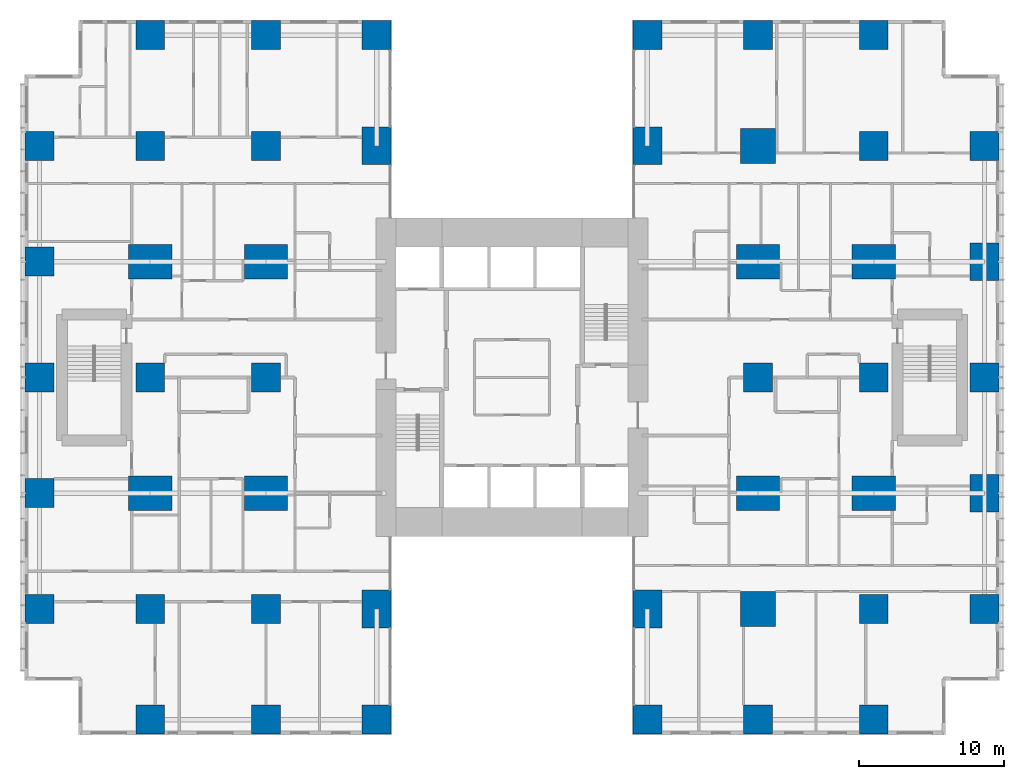
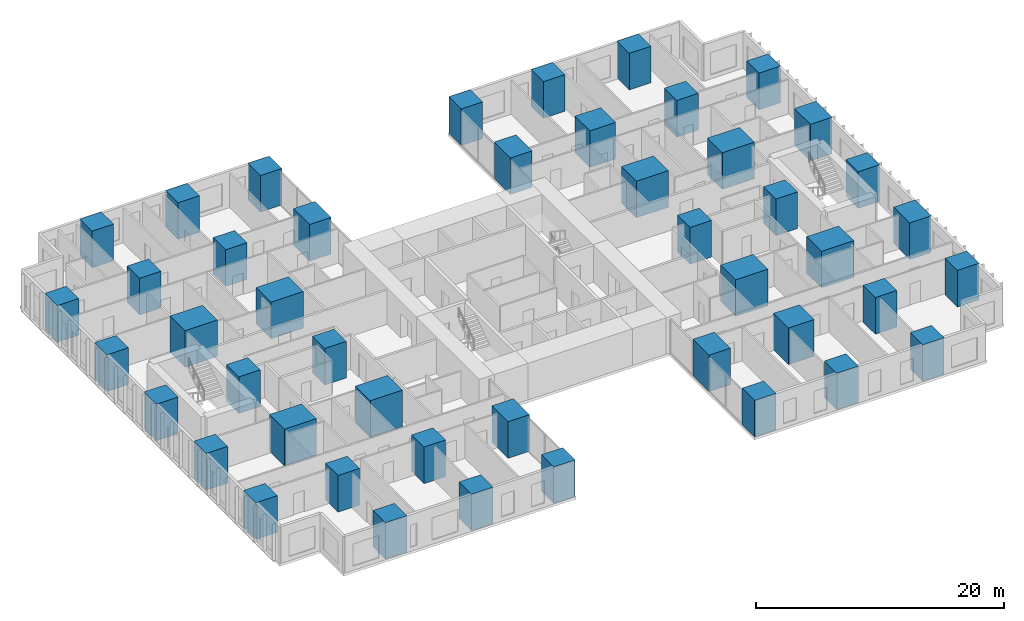
# One storey, part 1 of 20: 46 columns.
"""IFC4 building model written with IfcOpenShell, lengths in metres."""

import ifcopenshell
import ifcopenshell.guid

model = None  # the IFC model being written
_history = None  # IfcOwnerHistory: only IFC2X3 demands one
_inside = {}  # id of a spatial element -> (the spatial element, [elements in it])
_under = {}  # id of a project, library or spatial element -> (it, [spatial elements below it])
_declared = {}  # id of a project -> (the project, [libraries it declares])
_typed = {}  # id of a type object -> (the type object, [elements of that type])
_made_of = {}  # id of a material, layer set ... -> (it, [elements and type objects made of it])


def new_model(schema):
    """Start an empty IFC model of exactly this schema.

    Asked for "IFC4X3", IfcOpenShell would pick the latest addendum, in which some entities
    have other attributes; the version numbers below select the first issue.
    IFC2X3 requires an IfcOwnerHistory on every rooted entity: one is made here for all.
    """
    global model, _history
    if schema == "IFC4X3":
        model = ifcopenshell.file(schema_version=(4, 3, 0, 0))
    else:
        model = ifcopenshell.file(schema=schema)
    _inside.clear()
    _under.clear()
    _declared.clear()
    _typed.clear()
    _made_of.clear()
    _history = None
    if model.schema == "IFC2X3":
        org = make("IfcOrganization", Name="unknown")
        user = make(
            "IfcPersonAndOrganization",
            ThePerson=make("IfcPerson", FamilyName="unknown"),
            TheOrganization=org,
        )
        app = make(
            "IfcApplication",
            ApplicationDeveloper=org,
            Version="unknown",
            ApplicationFullName="unknown",
            ApplicationIdentifier="unknown",
        )
        _history = make(
            "IfcOwnerHistory",
            OwningUser=user,
            OwningApplication=app,
            ChangeAction="ADDED",
            CreationDate=0,
        )
    return model


def make(cls, **values):
    """One entity of the class cls with the attributes given. An attribute that is None is left unset."""
    return model.create_entity(
        cls, **{name: value for name, value in values.items() if value is not None}
    )


def rooted(cls, **values):
    """An entity with a GlobalId (a new one), such as an element, a storey or a relation."""
    return make(cls, GlobalId=ifcopenshell.guid.new(), OwnerHistory=_history, **values)


def si_unit(unit_type, name, prefix=None):
    """IfcSIUnit, for example si_unit("LENGTHUNIT", "METRE", prefix="MILLI")."""
    return make("IfcSIUnit", UnitType=unit_type, Prefix=prefix, Name=name)


def assignment(units):
    """IfcUnitAssignment: the units of a project."""
    return None if units is None else make("IfcUnitAssignment", Units=units)


def point(xyz):
    """IfcCartesianPoint."""
    return None if xyz is None else make("IfcCartesianPoint", Coordinates=xyz)


def direction(xyz):
    """IfcDirection."""
    return None if xyz is None else make("IfcDirection", DirectionRatios=xyz)


def frame(location, z_axis=None, x_axis=None):
    """IfcAxis2Placement3D, a coordinate frame: its origin and axes. An axis left out is left unset."""
    return make(
        "IfcAxis2Placement3D",
        Location=point(location),
        Axis=direction(z_axis),
        RefDirection=direction(x_axis),
    )


def frame_2d(location, x_axis=None):
    """IfcAxis2Placement2D, a coordinate frame in the plane: its origin and x axis."""
    return make(
        "IfcAxis2Placement2D", Location=point(location), RefDirection=direction(x_axis)
    )


def origin():
    """The frame at (0, 0, 0) with its axes left unset."""
    return frame((0.0, 0.0, 0.0))


def origin_2d():
    """The frame at (0, 0) in the plane with its x axis left unset."""
    return frame_2d((0.0, 0.0))


def place(relative_to, where):
    """IfcLocalPlacement: puts the frame where relative to a parent placement (None: the world)."""
    return make(
        "IfcLocalPlacement", PlacementRelTo=relative_to, RelativePlacement=where
    )


def context(
    kind, dimensions, precision=None, world=None, true_north=None, identifier=None
):
    """IfcGeometricRepresentationContext, for example the 3D "Model" context."""
    return make(
        "IfcGeometricRepresentationContext",
        ContextIdentifier=identifier,
        ContextType=kind,
        CoordinateSpaceDimension=dimensions,
        Precision=precision,
        WorldCoordinateSystem=world,
        TrueNorth=true_north,
    )


def subcontext(parent, identifier, kind, view, scale=None):
    """IfcGeometricRepresentationSubContext, for example "Body" below "Model"."""
    return make(
        "IfcGeometricRepresentationSubContext",
        ContextIdentifier=identifier,
        ContextType=kind,
        ParentContext=parent,
        TargetScale=scale,
        TargetView=view,
    )


def project(units=None, contexts=None):
    """IfcProject with its units and contexts."""
    return rooted(
        "IfcProject",
        Name="project",
        RepresentationContexts=contexts,
        UnitsInContext=assignment(units),
    )


def spatial(cls, under=None, at=None, **own):
    """A site, building, storey or space (cls), placed at a placement, below another one or the project."""
    s = rooted(cls, ObjectPlacement=at, **own)
    if under is not None:
        _under.setdefault(under.id(), (under, []))[1].append(s)
    return s


def profile(cls, at=None, kind="AREA", **sizes):
    """A parametric profile (cls). Its sizes go by their IFC names, for example OverallWidth=200.0."""
    return make(cls, ProfileType=kind, Position=at, **sizes)


def rectangle(**sizes):
    """IfcRectangleProfileDef."""
    return profile("IfcRectangleProfileDef", **sizes)


def extrude(swept, where, along, depth):
    """IfcExtrudedAreaSolid: the profile swept, set in the frame where, extruded along a direction by depth."""
    return make(
        "IfcExtrudedAreaSolid",
        SweptArea=swept,
        Position=where,
        ExtrudedDirection=direction(along),
        Depth=depth,
    )


def shape(context_of_items, identifier, shape_type, items):
    """IfcShapeRepresentation: the items that make up one representation, for example the "Body"."""
    return make(
        "IfcShapeRepresentation",
        ContextOfItems=context_of_items,
        RepresentationIdentifier=identifier,
        RepresentationType=shape_type,
        Items=items,
    )


def material(Name=None, Category=None):
    """IfcMaterial."""
    return make("IfcMaterial", Name=Name, Category=Category)


def material_profile(
    of_material, cross_section, Name=None, Category=None, Priority=None
):
    """IfcMaterialProfile: a cross section and its material."""
    return make(
        "IfcMaterialProfile",
        Name=Name,
        Material=of_material,
        Profile=cross_section,
        Priority=Priority,
        Category=Category,
    )


def profile_set(profiles, Name=None, composite=None):
    """IfcMaterialProfileSet."""
    return make(
        "IfcMaterialProfileSet",
        Name=Name,
        MaterialProfiles=profiles,
        CompositeProfile=composite,
    )


def made_of(thing, what):
    """Note that an element or type object is made of a material, layer set ...; save() writes the relation."""
    if what is not None:
        _made_of.setdefault(what.id(), (what, []))[1].append(thing)
    return thing


def type_object(cls, material=None, **own):
    """A type object (cls), such as IfcWallType, which elements share."""
    return made_of(rooted(cls, **own), material)


def element(
    cls,
    number,
    at=None,
    inside=None,
    cuts=None,
    type_object=None,
    material=None,
    context=None,
    identifier="Body",
    shape_type=None,
    held_by="IfcProductDefinitionShape",
    body=None,
    shapes=None,
    **own,
):
    """One element of the class cls, such as IfcWall. Its Tag is "e" and its number.

    at: its placement. inside: the storey or other place that contains it. cuts: it is an
    opening in that element (IfcRelVoidsElement). A single representation is given by context,
    identifier, shape_type and body (its items); several are given by shapes. held_by: the class
    of the entity that holds the representations. save() writes the other relations.
    """
    e = rooted(cls, Tag="e%d" % number, ObjectPlacement=at, **own)
    if body is not None:
        shapes = [shape(context, identifier, shape_type, body)]
    if shapes is not None:
        e.Representation = make(held_by, Representations=shapes)
    if inside is not None:
        _inside.setdefault(inside.id(), (inside, []))[1].append(e)
    if cuts is not None:
        rooted(
            "IfcRelVoidsElement", RelatingBuildingElement=cuts, RelatedOpeningElement=e
        )
    if type_object is not None:
        _typed.setdefault(type_object.id(), (type_object, []))[1].append(e)
    return made_of(e, material)


def aggregate(whole, parts):
    """IfcRelAggregates: a whole, such as a stair, and the parts it consists of."""
    return rooted("IfcRelAggregates", RelatingObject=whole, RelatedObjects=parts)


def save(model, path):
    """Write the relations noted so far, then the file.

    IfcRelAggregates (storeys below a building ...), IfcRelContainedInSpatialStructure (elements
    in a storey), IfcRelDefinesByType, IfcRelAssociatesMaterial and IfcRelDeclares: one each for
    every whole, place, type object, material and project.
    """
    for whole, parts in _under.values():
        aggregate(whole, parts)
    for where, things in _inside.values():
        rooted(
            "IfcRelContainedInSpatialStructure",
            RelatedElements=things,
            RelatingStructure=where,
        )
    for kind, things in _typed.values():
        rooted("IfcRelDefinesByType", RelatedObjects=things, RelatingType=kind)
    for what, things in _made_of.values():
        rooted("IfcRelAssociatesMaterial", RelatedObjects=things, RelatingMaterial=what)
    for by, libraries in _declared.values():
        rooted("IfcRelDeclares", RelatingContext=by, RelatedDefinitions=libraries)
    model.write(path)


model = new_model("IFC4")

# Units and contexts
model_context = context("Model", 3, precision=1e-05, world=origin(), true_north=direction((0.0, 1.0)))
body_context = subcontext(model_context, "Body", "Model", "MODEL_VIEW")
ifc_project = project(units=[si_unit("LENGTHUNIT", "METRE"), si_unit("AREAUNIT", "SQUARE_METRE"), si_unit("VOLUMEUNIT", "CUBIC_METRE"), si_unit("PLANEANGLEUNIT", "RADIAN"), si_unit("MASSUNIT", "GRAM", prefix="KILO")], contexts=[model_context])

# Site, building, storey
site_placement = place(None, origin())
site = spatial("IfcSite", under=ifc_project, at=site_placement, CompositionType="ELEMENT")
building_placement = place(site_placement, origin())
building = spatial("IfcBuilding", under=site, at=building_placement, Name="Cleftline Residences", CompositionType="ELEMENT")
storey_placement = place(building_placement, frame((0.0, 0.0, 117.800048828125)))
storey = spatial("IfcBuildingStorey", under=building, at=storey_placement, Name="L30", CompositionType="ELEMENT", Elevation=117.800048828125)

# Columns
ifc_material_1 = material(Name="Concrete B70", Category="concrete")
ifc_material_profile_1 = material_profile(ifc_material_1, rectangle(XDim=2.0, YDim=2.0, at=origin_2d()))
ifc_profile_set_1 = profile_set([ifc_material_profile_1], Name="Concrete B70")
column_type_1 = type_object("IfcColumnType", Name="COLUMN RC2000X2000", PredefinedType="COLUMN", material=ifc_profile_set_1)
for number, where, z_axis, x_axis, name in (
    (1, (0.35009765625, 8.0, 0.0), (0.0, 0.0, 1.0), (1.0, 0.0, 0.0), "Column D/3"),
    (2, (0.35009765625, 16.0, 0.0), (0.0, 0.0, 1.0), (1.0, 0.0, 0.0), "Column E/3"),
    (3, (0.35009765625, 24.0, 0.0), (0.0, 0.0, 1.0), (1.0, 0.0, 0.0), "Column F/3"),
    (4, (0.35009765625, 32.0, 0.0), (0.0, 0.0, 1.0), (1.0, 0.0, 0.0), "Column G/3"),
    (5, (0.35009765625, 40.0, 0.0), (0.0, 0.0, 1.0), (1.0, 0.0, 0.0), "Column H/3"),
    (6, (8.0, 0.35009765625, 0.0), (0.0, 0.0, 1.0), (1.0, 0.0, 0.0), "Column C/4"),
    (7, (8.0, 8.0, 0.0), (0.0, 0.0, 1.0), (1.0, 0.0, 0.0), "Column D/4"),
    (8, (8.0, 24.0, 0.0), (0.0, 0.0, 1.0), (1.0, 0.0, 0.0), "Column F/4"),
    (9, (8.0, 40.0, 0.0), (0.0, 0.0, 1.0), (1.0, 0.0, 0.0), "Column H/4"),
    (10, (8.0, 47.64990234375, 0.0), (0.0, 0.0, 1.0), (1.0, 0.0, 0.0), "Column J/4"),
    (11, (16.0, 0.35009765625, 0.0), (0.0, 0.0, 1.0), (1.0, 0.0, 0.0), "Column C/5"),
    (12, (16.0, 8.0, 0.0), (0.0, 0.0, 1.0), (1.0, 0.0, 0.0), "Column D/5"),
    (13, (16.0, 24.0, 0.0), (0.0, 0.0, 1.0), (1.0, 0.0, 0.0), "Column F/5"),
    (14, (16.0, 40.0, 0.0), (0.0, 0.0, 1.0), (1.0, 0.0, 0.0), "Column H/5"),
    (15, (16.0, 47.64990234375, 0.0), (0.0, 0.0, 1.0), (1.0, 0.0, 0.0), "Column J/5"),
    (16, (23.64990234375, 0.35009765625, 0.0), (0.0, 0.0, 1.0), (1.0, 0.0, 0.0), "Column C/6"),
    (17, (23.64990234375, 47.64990234375, 0.0), (0.0, 0.0, 1.0), (1.0, 0.0, 0.0), "Column J/6"),
    (18, (42.35009765625, 0.35009765625, 0.0), (0.0, 0.0, 1.0), (1.0, 0.0, 0.0), "Column C/8"),
    (19, (42.35009765625, 47.64990234375, 0.0), (0.0, 0.0, 1.0), (1.0, 0.0, 0.0), "Column J/8"),
    (20, (50.0, 0.35009765625, 0.0), (0.0, 0.0, 1.0), (1.0, 0.0, 0.0), "Column C/9"),
    (21, (50.0, 24.0, 0.0), (0.0, 0.0, 1.0), (1.0, 0.0, 0.0), "Column F/9"),
    (22, (50.0, 47.64990234375, 0.0), (0.0, 0.0, 1.0), (1.0, 0.0, 0.0), "Column J/9"),
    (23, (58.0, 0.35009765625, 0.0), (0.0, 0.0, 1.0), (1.0, 0.0, 0.0), "Column C/10"),
    (24, (58.0, 8.0, 0.0), (0.0, 0.0, 1.0), (1.0, 0.0, 0.0), "Column D/10"),
    (25, (58.0, 24.0, 0.0), (0.0, 0.0, 1.0), (1.0, 0.0, 0.0), "Column F/10"),
    (26, (58.0, 40.0, 0.0), (0.0, 0.0, 1.0), (1.0, 0.0, 0.0), "Column H/10"),
    (27, (58.0, 47.64990234375, 0.0), (0.0, 0.0, 1.0), (1.0, 0.0, 0.0), "Column J/10"),
    (28, (65.64990234375, 8.0, 0.0), (0.0, 0.0, 1.0), (1.0, 0.0, 0.0), "Column D/11"),
    (29, (65.64990234375, 24.0, 0.0), (0.0, 0.0, 1.0), (1.0, 0.0, 0.0), "Column F/11"),
    (30, (65.64990234375, 40.0, 0.0), (0.0, 0.0, 1.0), (1.0, 0.0, 0.0), "Column H/11"),
):
    element("IfcColumn", number, at=place(storey_placement, frame(where, z_axis=z_axis, x_axis=x_axis)), inside=storey, type_object=column_type_1, Name=name, PredefinedType="COLUMN", context=body_context, shape_type="SweptSolid", body=[
        extrude(rectangle(XDim=2.0, YDim=2.0, at=origin_2d()), origin(), (0.0, 0.0, 1.0), 3.599853515625),
    ])
ifc_material_2 = material(Name="Concrete B70", Category="concrete")
ifc_material_profile_2 = material_profile(ifc_material_2, rectangle(XDim=2.0, YDim=2.60009765625, at=origin_2d()))
ifc_profile_set_2 = profile_set([ifc_material_profile_2], Name="Concrete B70")
column_type_2 = type_object("IfcColumnType", Name="COLUMN RC2000X2600", PredefinedType="COLUMN", material=ifc_profile_set_2)
for number, where, z_axis, x_axis, name in (
    (31, (23.64990234375, 8.0, 0.0), (0.0, 0.0, 1.0), (1.0, 0.0, 0.0), "Column D/6"),
    (32, (23.64990234375, 40.0, 0.0), (0.0, 0.0, 1.0), (1.0, 0.0, 0.0), "Column H/6"),
    (33, (42.35009765625, 8.0, 0.0), (0.0, 0.0, 1.0), (1.0, 0.0, 0.0), "Column D/8"),
    (34, (42.35009765625, 40.0, 0.0), (0.0, 0.0, 1.0), (1.0, 0.0, 0.0), "Column H/8"),
):
    element("IfcColumn", number, at=place(storey_placement, frame(where, z_axis=z_axis, x_axis=x_axis)), inside=storey, type_object=column_type_2, Name=name, PredefinedType="COLUMN", context=body_context, shape_type="SweptSolid", body=[
        extrude(rectangle(XDim=2.0, YDim=2.60009765625, at=origin_2d()), origin(), (0.0, 0.0, 1.0), 3.599853515625),
    ])
ifc_material_3 = material(Name="Concrete B70", Category="concrete")
ifc_material_profile_3 = material_profile(ifc_material_3, rectangle(XDim=2.39990234375, YDim=2.39990234375, at=origin_2d()))
ifc_profile_set_3 = profile_set([ifc_material_profile_3], Name="Concrete B70")
column_type_3 = type_object("IfcColumnType", Name="COLUMN RC2400X2400", PredefinedType="COLUMN", material=ifc_profile_set_3)
for number, where, z_axis, x_axis, name in (
    (35, (50.0, 8.0, 0.0), (0.0, 0.0, 1.0), (1.0, 0.0, 0.0), "Column D/9"),
    (36, (50.0, 40.0, 0.0), (0.0, 0.0, 1.0), (1.0, 0.0, 0.0), "Column H/9"),
):
    element("IfcColumn", number, at=place(storey_placement, frame(where, z_axis=z_axis, x_axis=x_axis)), inside=storey, type_object=column_type_3, Name=name, PredefinedType="COLUMN", context=body_context, shape_type="SweptSolid", body=[
        extrude(rectangle(XDim=2.39990234375, YDim=2.39990234375, at=origin_2d()), origin(), (0.0, 0.0, 1.0), 3.599853515625),
    ])
ifc_material_4 = material(Name="Concrete B70", Category="concrete")
ifc_material_profile_4 = material_profile(ifc_material_4, rectangle(XDim=2.60009765625, YDim=2.0, at=origin_2d()))
ifc_profile_set_4 = profile_set([ifc_material_profile_4], Name="Concrete B70")
column_type_4 = type_object("IfcColumnType", Name="COLUMN RC2600X2000", PredefinedType="COLUMN", material=ifc_profile_set_4)
for number, where, z_axis, x_axis, name in (
    (37, (65.64990234375, 16.0, 0.0), (0.0, 0.0, 1.0), (0.0, 1.0, 0.0), "Column E/11"),
    (38, (65.64990234375, 32.0, 0.0), (0.0, 0.0, 1.0), (0.0, 1.0, 0.0), "Column G/11"),
):
    element("IfcColumn", number, at=place(storey_placement, frame(where, z_axis=z_axis, x_axis=x_axis)), inside=storey, type_object=column_type_4, Name=name, PredefinedType="COLUMN", context=body_context, shape_type="SweptSolid", body=[
        extrude(rectangle(XDim=2.60009765625, YDim=2.0, at=origin_2d()), origin(), (0.0, 0.0, 1.0), 3.599853515625),
    ])
ifc_material_5 = material(Name="Concrete B70", Category="concrete")
ifc_material_profile_5 = material_profile(ifc_material_5, rectangle(XDim=3.0, YDim=2.39990234375, at=origin_2d()))
ifc_profile_set_5 = profile_set([ifc_material_profile_5], Name="Concrete B70")
column_type_5 = type_object("IfcColumnType", Name="COLUMN RC3000X2400", PredefinedType="COLUMN", material=ifc_profile_set_5)
for number, where, z_axis, x_axis, name in (
    (39, (8.0, 16.0, 0.0), (0.0, 0.0, 1.0), (1.0, 0.0, 0.0), "Column E/4"),
    (40, (8.0, 32.0, 0.0), (0.0, 0.0, 1.0), (1.0, 0.0, 0.0), "Column G/4"),
    (41, (16.0, 16.0, 0.0), (0.0, 0.0, 1.0), (1.0, 0.0, 0.0), "Column E/5"),
    (42, (16.0, 32.0, 0.0), (0.0, 0.0, 1.0), (1.0, 0.0, 0.0), "Column G/5"),
    (43, (50.0, 16.0, 0.0), (0.0, 0.0, 1.0), (1.0, 0.0, 0.0), "Column E/9"),
    (44, (50.0, 32.0, 0.0), (0.0, 0.0, 1.0), (1.0, 0.0, 0.0), "Column G/9"),
    (45, (58.0, 16.0, 0.0), (0.0, 0.0, 1.0), (1.0, 0.0, 0.0), "Column E/10"),
    (46, (58.0, 32.0, 0.0), (0.0, 0.0, 1.0), (1.0, 0.0, 0.0), "Column G/10"),
):
    element("IfcColumn", number, at=place(storey_placement, frame(where, z_axis=z_axis, x_axis=x_axis)), inside=storey, type_object=column_type_5, Name=name, PredefinedType="COLUMN", context=body_context, shape_type="SweptSolid", body=[
        extrude(rectangle(XDim=3.0, YDim=2.39990234375, at=origin_2d()), origin(), (0.0, 0.0, 1.0), 3.599853515625),
    ])

save(model, "model.ifc")
